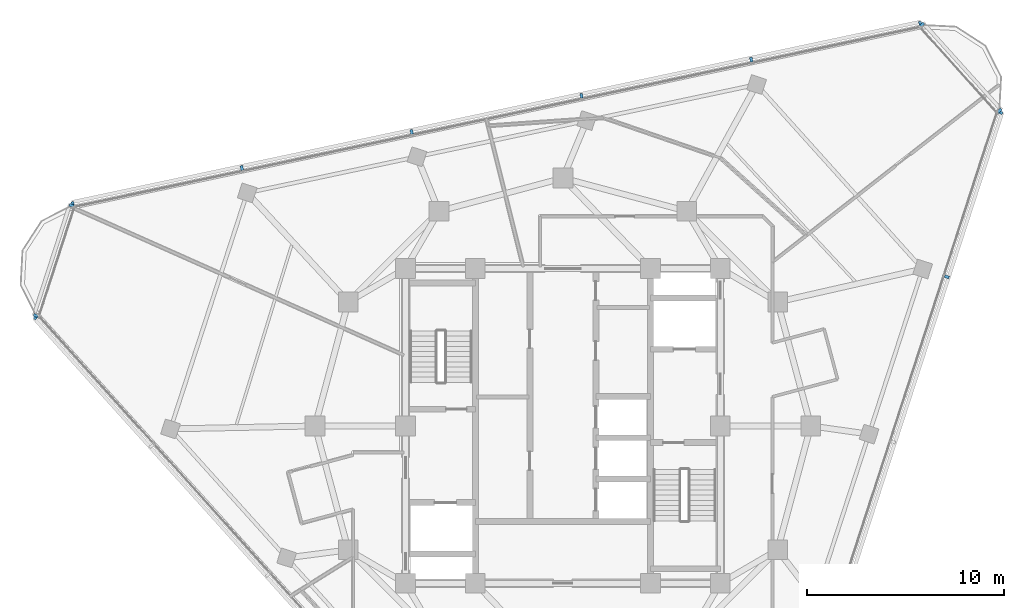
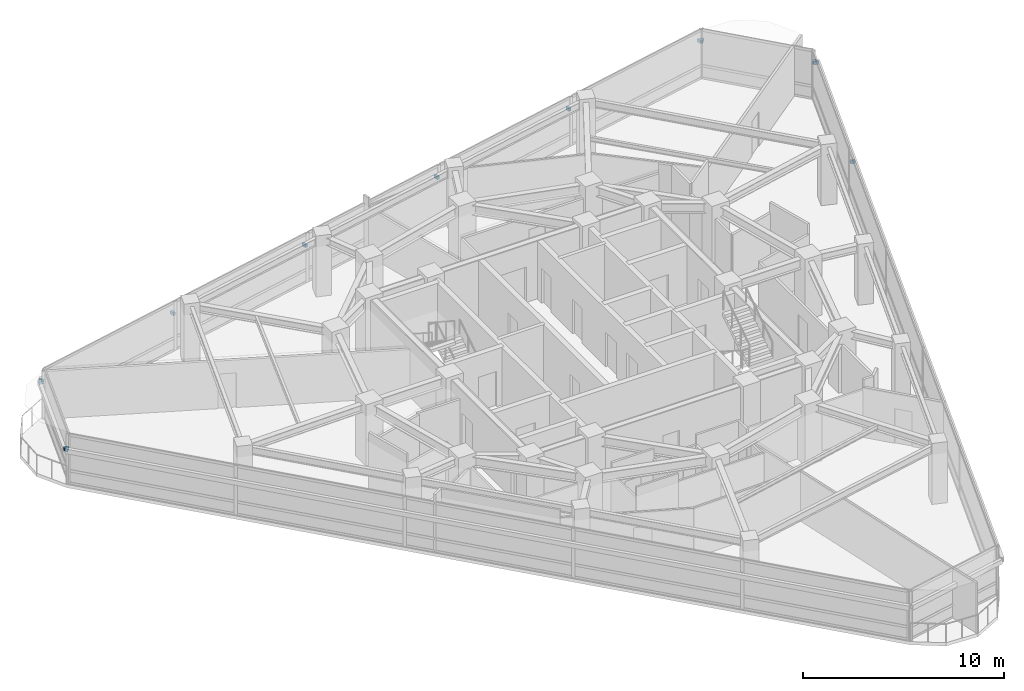
# One storey, part 11 of 15: 13 discrete accessories.
"""IFC4 building model written with IfcOpenShell, lengths in metres."""

from ifc_helpers import new_model, si_unit, direction, frame, origin, origin_2d, place, context, subcontext, project, spatial, rectangle, extrude, material, type_object, element, save


model = new_model("IFC4")

# Units and contexts
model_context = context("Model", 3, precision=1e-05, world=origin(), true_north=direction((0.0, 1.0)))
body_context = subcontext(model_context, "Body", "Model", "MODEL_VIEW")
ifc_project = project(units=[si_unit("LENGTHUNIT", "METRE"), si_unit("AREAUNIT", "SQUARE_METRE"), si_unit("VOLUMEUNIT", "CUBIC_METRE"), si_unit("PLANEANGLEUNIT", "RADIAN"), si_unit("MASSUNIT", "GRAM", prefix="KILO")], contexts=[model_context])

# Site, building, storey
site_placement = place(None, origin())
site = spatial("IfcSite", under=ifc_project, at=site_placement, CompositionType="ELEMENT")
building_placement = place(site_placement, origin())
building = spatial("IfcBuilding", under=site, at=building_placement, Name="Terralouvre Media Tower", CompositionType="ELEMENT")
storey_placement = place(building_placement, frame((0.0, 0.0, 286.89990234375)))
storey = spatial("IfcBuildingStorey", under=building, at=storey_placement, Name="L74", CompositionType="ELEMENT", Elevation=286.89990234375)

# Discrete accessories
ifc_material = material(Name="Anodised extruded aluminium 6063-T6", Category="aluminium")
discrete_accessory_type = type_object("IfcDiscreteAccessoryType", Name="Mullion Stand-Off Baguette Fixing Bracket BK-01", PredefinedType="BRACKET", material=ifc_material)
for number, where, z_axis, x_axis, name in (
    (1, (19.5126953125, 7.5771484375, 2.07421875), (0.0, 0.0, 1.0), (0.309017021946, 0.951056507337, 0.0), "CW-L74-F0 Baguette Outrigger Bracket 1.05"),
    (2, (22.22802734375, 15.93359375, 2.07421875), (0.0, 0.0, 1.0), (0.309017021946, 0.951056507337, 0.0), "CW-L74-F0 Baguette Outrigger Bracket 1.06"),
    (3, (18.169677734375, 20.440673828125, 2.07421875), (0.0, 0.0, 1.0), (-0.978147616145, -0.207911618313, 0.0), "CW-L74-F1 Baguette Outrigger Bracket 1.01"),
    (4, (9.5751953125, 18.614013671875, 2.07421875), (0.0, 0.0, 1.0), (-0.978147616145, -0.207911618313, 0.0), "CW-L74-F1 Baguette Outrigger Bracket 1.02"),
    (5, (0.944091796875, 16.779296875, 2.07421875), (0.0, 0.0, 1.0), (-0.978147616145, -0.207911618313, 0.0), "CW-L74-F1 Baguette Outrigger Bracket 1.03"),
    (6, (-7.687255859375, 14.944580078125, 2.07421875), (0.0, 0.0, 1.0), (-0.978147616145, -0.207911618313, 0.0), "CW-L74-F1 Baguette Outrigger Bracket 1.04"),
    (7, (-16.318359375, 13.110107421875, 2.07421875), (0.0, 0.0, 1.0), (-0.978147616145, -0.207911618313, 0.0), "CW-L74-F1 Baguette Outrigger Bracket 1.05"),
    (8, (-24.912841796875, 11.283203125, 2.07421875), (0.0, 0.0, 1.0), (-0.978147616145, -0.207911618313, 0.0), "CW-L74-F1 Baguette Outrigger Bracket 1.06"),
    (9, (-26.787109375, 5.51513671875, 2.07421875), (0.0, 0.0, 1.0), (0.669130573531, -0.743144855036, 0.0), "CW-L74-F2 Baguette Outrigger Bracket 1.01"),
    (10, (22.19140625, 16.022705078125, 2.07421875), (0.0, 0.0, 1.0), (-0.669130231192, 0.743145163279, 0.0), "CW-L74-C1 Baguette Outrigger Bracket 1.01"),
    (11, (18.254638671875, 20.39501953125, 2.07421875), (0.0, 0.0, 1.0), (-0.669130231192, 0.743145163279, 0.0), "CW-L74-C1 Baguette Outrigger Bracket 1.02"),
    (12, (-24.9716796875, 11.206787109375, 2.07421875), (0.0, 0.0, 1.0), (-0.30901654693, -0.951056661679, 0.0), "CW-L74-C2 Baguette Outrigger Bracket 1.01"),
    (13, (-26.789794921875, 5.611572265625, 2.07421875), (0.0, 0.0, 1.0), (-0.30901654693, -0.951056661679, 0.0), "CW-L74-C2 Baguette Outrigger Bracket 1.02"),
):
    element("IfcDiscreteAccessory", number, at=place(storey_placement, frame(where, z_axis=z_axis, x_axis=x_axis)), inside=storey, type_object=discrete_accessory_type, Name=name, PredefinedType="BRACKET", context=body_context, shape_type="SweptSolid", body=[
        extrude(rectangle(XDim=0.139892578125, YDim=0.239990234375, at=origin_2d()), origin(), (0.0, 0.0, 1.0), 0.179931640625),
    ])

save(model, "model.ifc")
